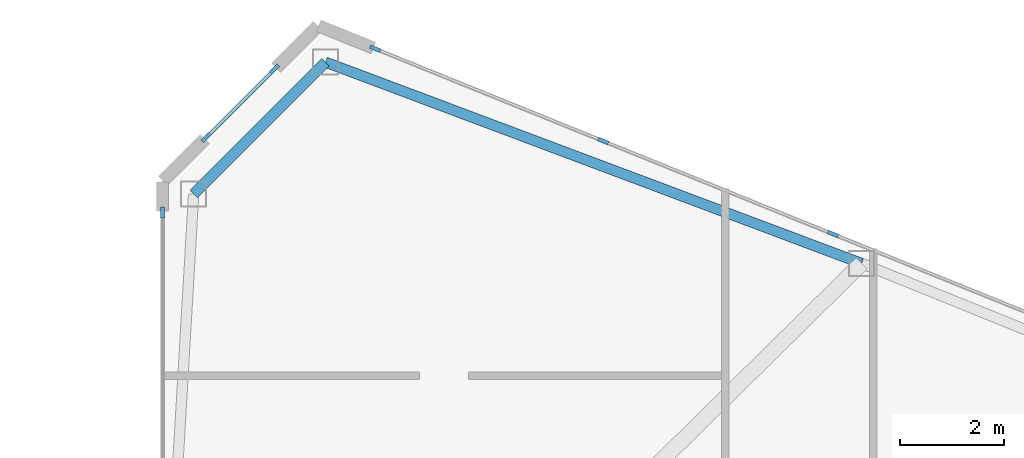
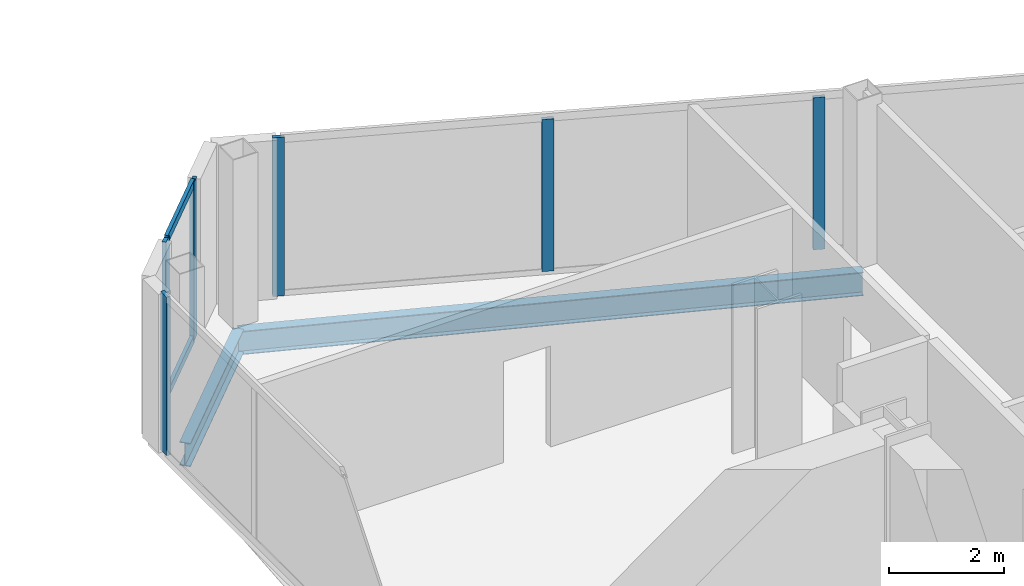
# One storey, part 13 of 25: 8 members, 2 beams, 3 elements without a shape of their own.
"""IFC4 building model written with IfcOpenShell, lengths in metres."""

import ifcopenshell
import ifcopenshell.guid

model = None  # the IFC model being written
_history = None  # IfcOwnerHistory: only IFC2X3 demands one
_inside = {}  # id of a spatial element -> (the spatial element, [elements in it])
_under = {}  # id of a project, library or spatial element -> (it, [spatial elements below it])
_declared = {}  # id of a project -> (the project, [libraries it declares])
_typed = {}  # id of a type object -> (the type object, [elements of that type])
_made_of = {}  # id of a material, layer set ... -> (it, [elements and type objects made of it])


def new_model(schema):
    """Start an empty IFC model of exactly this schema.

    Asked for "IFC4X3", IfcOpenShell would pick the latest addendum, in which some entities
    have other attributes; the version numbers below select the first issue.
    IFC2X3 requires an IfcOwnerHistory on every rooted entity: one is made here for all.
    """
    global model, _history
    if schema == "IFC4X3":
        model = ifcopenshell.file(schema_version=(4, 3, 0, 0))
    else:
        model = ifcopenshell.file(schema=schema)
    _inside.clear()
    _under.clear()
    _declared.clear()
    _typed.clear()
    _made_of.clear()
    _history = None
    if model.schema == "IFC2X3":
        org = make("IfcOrganization", Name="unknown")
        user = make(
            "IfcPersonAndOrganization",
            ThePerson=make("IfcPerson", FamilyName="unknown"),
            TheOrganization=org,
        )
        app = make(
            "IfcApplication",
            ApplicationDeveloper=org,
            Version="unknown",
            ApplicationFullName="unknown",
            ApplicationIdentifier="unknown",
        )
        _history = make(
            "IfcOwnerHistory",
            OwningUser=user,
            OwningApplication=app,
            ChangeAction="ADDED",
            CreationDate=0,
        )
    return model


def make(cls, **values):
    """One entity of the class cls with the attributes given. An attribute that is None is left unset."""
    return model.create_entity(
        cls, **{name: value for name, value in values.items() if value is not None}
    )


def rooted(cls, **values):
    """An entity with a GlobalId (a new one), such as an element, a storey or a relation."""
    return make(cls, GlobalId=ifcopenshell.guid.new(), OwnerHistory=_history, **values)


def si_unit(unit_type, name, prefix=None):
    """IfcSIUnit, for example si_unit("LENGTHUNIT", "METRE", prefix="MILLI")."""
    return make("IfcSIUnit", UnitType=unit_type, Prefix=prefix, Name=name)


def assignment(units):
    """IfcUnitAssignment: the units of a project."""
    return None if units is None else make("IfcUnitAssignment", Units=units)


def point(xyz):
    """IfcCartesianPoint."""
    return None if xyz is None else make("IfcCartesianPoint", Coordinates=xyz)


def direction(xyz):
    """IfcDirection."""
    return None if xyz is None else make("IfcDirection", DirectionRatios=xyz)


def frame(location, z_axis=None, x_axis=None):
    """IfcAxis2Placement3D, a coordinate frame: its origin and axes. An axis left out is left unset."""
    return make(
        "IfcAxis2Placement3D",
        Location=point(location),
        Axis=direction(z_axis),
        RefDirection=direction(x_axis),
    )


def frame_2d(location, x_axis=None):
    """IfcAxis2Placement2D, a coordinate frame in the plane: its origin and x axis."""
    return make(
        "IfcAxis2Placement2D", Location=point(location), RefDirection=direction(x_axis)
    )


def origin():
    """The frame at (0, 0, 0) with its axes left unset."""
    return frame((0.0, 0.0, 0.0))


def origin_2d():
    """The frame at (0, 0) in the plane with its x axis left unset."""
    return frame_2d((0.0, 0.0))


def place(relative_to, where):
    """IfcLocalPlacement: puts the frame where relative to a parent placement (None: the world)."""
    return make(
        "IfcLocalPlacement", PlacementRelTo=relative_to, RelativePlacement=where
    )


def context(
    kind, dimensions, precision=None, world=None, true_north=None, identifier=None
):
    """IfcGeometricRepresentationContext, for example the 3D "Model" context."""
    return make(
        "IfcGeometricRepresentationContext",
        ContextIdentifier=identifier,
        ContextType=kind,
        CoordinateSpaceDimension=dimensions,
        Precision=precision,
        WorldCoordinateSystem=world,
        TrueNorth=true_north,
    )


def subcontext(parent, identifier, kind, view, scale=None):
    """IfcGeometricRepresentationSubContext, for example "Body" below "Model"."""
    return make(
        "IfcGeometricRepresentationSubContext",
        ContextIdentifier=identifier,
        ContextType=kind,
        ParentContext=parent,
        TargetScale=scale,
        TargetView=view,
    )


def project(units=None, contexts=None):
    """IfcProject with its units and contexts."""
    return rooted(
        "IfcProject",
        Name="project",
        RepresentationContexts=contexts,
        UnitsInContext=assignment(units),
    )


def spatial(cls, under=None, at=None, **own):
    """A site, building, storey or space (cls), placed at a placement, below another one or the project."""
    s = rooted(cls, ObjectPlacement=at, **own)
    if under is not None:
        _under.setdefault(under.id(), (under, []))[1].append(s)
    return s


def profile(cls, at=None, kind="AREA", **sizes):
    """A parametric profile (cls). Its sizes go by their IFC names, for example OverallWidth=200.0."""
    return make(cls, ProfileType=kind, Position=at, **sizes)


def rectangle(**sizes):
    """IfcRectangleProfileDef."""
    return profile("IfcRectangleProfileDef", **sizes)


def i_section(**sizes):
    """IfcIShapeProfileDef."""
    return profile("IfcIShapeProfileDef", **sizes)


def extrude(swept, where, along, depth):
    """IfcExtrudedAreaSolid: the profile swept, set in the frame where, extruded along a direction by depth."""
    return make(
        "IfcExtrudedAreaSolid",
        SweptArea=swept,
        Position=where,
        ExtrudedDirection=direction(along),
        Depth=depth,
    )


def shape(context_of_items, identifier, shape_type, items):
    """IfcShapeRepresentation: the items that make up one representation, for example the "Body"."""
    return make(
        "IfcShapeRepresentation",
        ContextOfItems=context_of_items,
        RepresentationIdentifier=identifier,
        RepresentationType=shape_type,
        Items=items,
    )


def source(mapping_origin, context_of_items, identifier, shape_type, items):
    """IfcRepresentationMap: a shape defined once, which mapped items show again and again."""
    return make(
        "IfcRepresentationMap",
        MappingOrigin=mapping_origin,
        MappedRepresentation=shape(context_of_items, identifier, shape_type, items),
    )


def transform(
    local_origin,
    x_axis=None,
    y_axis=None,
    z_axis=None,
    scale=None,
    scale2=None,
    scale3=None,
    uniform=True,
):
    """IfcCartesianTransformationOperator3D, or its non-uniform kind. x_axis, y_axis, z_axis: its Axis1, 2, 3."""
    if uniform:
        return make(
            "IfcCartesianTransformationOperator3D",
            Axis1=direction(x_axis),
            Axis2=direction(y_axis),
            LocalOrigin=point(local_origin),
            Scale=scale,
            Axis3=direction(z_axis),
        )
    return make(
        "IfcCartesianTransformationOperator3DnonUniform",
        Axis1=direction(x_axis),
        Axis2=direction(y_axis),
        LocalOrigin=point(local_origin),
        Scale=scale,
        Axis3=direction(z_axis),
        Scale2=scale2,
        Scale3=scale3,
    )


def mapped(mapping_source, mapping_target):
    """IfcMappedItem: shows the shape of a source again, moved by a transform."""
    return make(
        "IfcMappedItem", MappingSource=mapping_source, MappingTarget=mapping_target
    )


def material(Name=None, Category=None):
    """IfcMaterial."""
    return make("IfcMaterial", Name=Name, Category=Category)


def layer(
    of_material, thickness, ventilated=None, Name=None, Category=None, Priority=None
):
    """IfcMaterialLayer: one layer of a wall or slab, of a material (None: an air gap)."""
    return make(
        "IfcMaterialLayer",
        Material=of_material,
        LayerThickness=thickness,
        IsVentilated=ventilated,
        Name=Name,
        Category=Category,
        Priority=Priority,
    )


def layer_set(layers, Name=None):
    """IfcMaterialLayerSet."""
    return make("IfcMaterialLayerSet", MaterialLayers=layers, LayerSetName=Name)


def material_profile(
    of_material, cross_section, Name=None, Category=None, Priority=None
):
    """IfcMaterialProfile: a cross section and its material."""
    return make(
        "IfcMaterialProfile",
        Name=Name,
        Material=of_material,
        Profile=cross_section,
        Priority=Priority,
        Category=Category,
    )


def profile_set(profiles, Name=None, composite=None):
    """IfcMaterialProfileSet."""
    return make(
        "IfcMaterialProfileSet",
        Name=Name,
        MaterialProfiles=profiles,
        CompositeProfile=composite,
    )


def made_of(thing, what):
    """Note that an element or type object is made of a material, layer set ...; save() writes the relation."""
    if what is not None:
        _made_of.setdefault(what.id(), (what, []))[1].append(thing)
    return thing


def type_object(cls, material=None, **own):
    """A type object (cls), such as IfcWallType, which elements share."""
    return made_of(rooted(cls, **own), material)


def type_shapes(of_type, sources):
    """Give a type object the sources (RepresentationMaps) that its elements show as mapped items."""
    of_type.RepresentationMaps = sources


def element(
    cls,
    number,
    at=None,
    inside=None,
    cuts=None,
    type_object=None,
    material=None,
    context=None,
    identifier="Body",
    shape_type=None,
    held_by="IfcProductDefinitionShape",
    body=None,
    shapes=None,
    **own,
):
    """One element of the class cls, such as IfcWall. Its Tag is "e" and its number.

    at: its placement. inside: the storey or other place that contains it. cuts: it is an
    opening in that element (IfcRelVoidsElement). A single representation is given by context,
    identifier, shape_type and body (its items); several are given by shapes. held_by: the class
    of the entity that holds the representations. save() writes the other relations.
    """
    e = rooted(cls, Tag="e%d" % number, ObjectPlacement=at, **own)
    if body is not None:
        shapes = [shape(context, identifier, shape_type, body)]
    if shapes is not None:
        e.Representation = make(held_by, Representations=shapes)
    if inside is not None:
        _inside.setdefault(inside.id(), (inside, []))[1].append(e)
    if cuts is not None:
        rooted(
            "IfcRelVoidsElement", RelatingBuildingElement=cuts, RelatedOpeningElement=e
        )
    if type_object is not None:
        _typed.setdefault(type_object.id(), (type_object, []))[1].append(e)
    return made_of(e, material)


def aggregate(whole, parts):
    """IfcRelAggregates: a whole, such as a stair, and the parts it consists of."""
    return rooted("IfcRelAggregates", RelatingObject=whole, RelatedObjects=parts)


def save(model, path):
    """Write the relations noted so far, then the file.

    IfcRelAggregates (storeys below a building ...), IfcRelContainedInSpatialStructure (elements
    in a storey), IfcRelDefinesByType, IfcRelAssociatesMaterial and IfcRelDeclares: one each for
    every whole, place, type object, material and project.
    """
    for whole, parts in _under.values():
        aggregate(whole, parts)
    for where, things in _inside.values():
        rooted(
            "IfcRelContainedInSpatialStructure",
            RelatedElements=things,
            RelatingStructure=where,
        )
    for kind, things in _typed.values():
        rooted("IfcRelDefinesByType", RelatedObjects=things, RelatingType=kind)
    for what, things in _made_of.values():
        rooted("IfcRelAssociatesMaterial", RelatedObjects=things, RelatingMaterial=what)
    for by, libraries in _declared.values():
        rooted("IfcRelDeclares", RelatingContext=by, RelatedDefinitions=libraries)
    model.write(path)


model = new_model("IFC4")

# Units and contexts
model_context = context("Model", 3, precision=1e-05, world=origin(), true_north=direction((0.0, 1.0)))
body_context = subcontext(model_context, "Body", "Model", "MODEL_VIEW")
ifc_project = project(units=[si_unit("LENGTHUNIT", "METRE"), si_unit("AREAUNIT", "SQUARE_METRE"), si_unit("VOLUMEUNIT", "CUBIC_METRE"), si_unit("PLANEANGLEUNIT", "RADIAN"), si_unit("MASSUNIT", "GRAM", prefix="KILO")], contexts=[model_context])

# Site, building, storey
site_placement = place(None, origin())
site = spatial("IfcSite", under=ifc_project, at=site_placement, CompositionType="ELEMENT")
building_placement = place(site_placement, origin())
building = spatial("IfcBuilding", under=site, at=building_placement, Name="Seokmaru Belvedere", CompositionType="ELEMENT")
storey_placement = place(building_placement, frame((0.0, 0.0, 29.699951171875)))
storey = spatial("IfcBuildingStorey", under=building, at=storey_placement, Name="L07", CompositionType="ELEMENT", Elevation=29.699951171875)

# Beams
ifc_material_1 = material(Name="Steel SM355 (355 MPa)", Category="steel")
ifc_material_profile_1 = material_profile(ifc_material_1, i_section(OverallWidth=0.199951171875, OverallDepth=0.5, WebThickness=0.010009765625, FlangeThickness=0.01611328125, at=origin_2d()), Name="H-500x200x10x16")
ifc_profile_set_1 = profile_set([ifc_material_profile_1], Name="Steel SM355 (355 MPa)")
beam_type = type_object("IfcBeamType", Name="Perimeter Spandrel Beam H-500", PredefinedType="SPANDREL", material=ifc_profile_set_1)
shared_shape_1 = source(origin(), body_context, "Body", "SweptSolid", [
    extrude(i_section(OverallWidth=0.199951171875, OverallDepth=0.5, WebThickness=0.010009765625, FlangeThickness=0.01611328125, at=origin_2d()), origin(), (0.0, 0.0, 1.0), 11.03857421875),
])
beam_1_placement = place(storey_placement, frame((30.643310546875, 26.294677734375, -0.469970703125), z_axis=(0.936169110734, -0.351549990907, 0.0), x_axis=(0.351549990907, 0.936169110734, 0.0)))
element("IfcBeam", 1, at=beam_1_placement, inside=storey, type_object=beam_type, Name="L07 E Faceted Flank Spandrel N-1", PredefinedType="SPANDREL", context=body_context, shape_type="MappedRepresentation", body=[
    mapped(shared_shape_1, transform((0.0, 0.0, 0.0), scale=1.0)),
])
shared_shape_2 = source(origin(), body_context, "Body", "SweptSolid", [
    extrude(i_section(OverallWidth=0.199951171875, OverallDepth=0.5, WebThickness=0.010009765625, FlangeThickness=0.01611328125, at=origin_2d()), origin(), (0.0, 0.0, 1.0), 3.5966796875),
])
type_shapes(beam_type, [shared_shape_1, shared_shape_2])
beam_2_placement = place(storey_placement, frame((30.643310546875, 26.294677734375, -0.469970703125), z_axis=(-0.707106781187, -0.707106781187, 0.0), x_axis=(0.707106781187, -0.707106781187, 0.0)))
element("IfcBeam", 2, at=beam_2_placement, inside=storey, type_object=beam_type, Name="L07 E Shoulder Chamfer Spandrel N", PredefinedType="SPANDREL", context=body_context, shape_type="MappedRepresentation", body=[
    mapped(shared_shape_2, transform((0.0, 0.0, 0.0), scale=1.0)),
])

# Curtain wall, member
ifc_material_2 = material(Name="Bronze Triple Insulating Glass", Category="glass")
ifc_layer = layer(ifc_material_2, 0.2099609375)
ifc_layer_set = layer_set([ifc_layer], Name="Bronze Triple Insulating Glass")
curtain_wall_type = type_object("IfcCurtainWallType", Name="Low-Rise Faceted Crystal Curtain Wall System CW-2", PredefinedType="NOTDEFINED", material=ifc_layer_set)
curtain_wall_1_placement = place(storey_placement, origin())
curtain_wall_1 = element("IfcCurtainWall", 3, at=curtain_wall_1_placement, inside=storey, type_object=curtain_wall_type, Name="L07 Curtain Wall EF3", PredefinedType="NOTDEFINED")
ifc_material_3 = material(Name="Anodised Bronze Aluminium", Category="aluminium")
ifc_material_profile_2 = material_profile(ifc_material_3, rectangle(XDim=0.074951171875, YDim=0.2099609375, at=origin_2d()), Name="CW-M-75x210")
ifc_profile_set_2 = profile_set([ifc_material_profile_2], Name="Anodised Bronze Aluminium")
member_type_1 = type_object("IfcMemberType", Name="Bronze Unitised Mullion 75x210", PredefinedType="MULLION", material=ifc_profile_set_2)
shared_shape_3 = source(origin(), body_context, "Body", "SweptSolid", [
    extrude(rectangle(XDim=0.074951171875, YDim=0.2099609375, at=origin_2d()), origin(), (0.0, 0.0, 1.0), 3.380126953125),
])
member_1_placement = place(storey_placement, frame((31.600830078125, 26.554443359375, 0.0), z_axis=(0.0, 0.0, 1.0), x_axis=(-0.375192321888, -0.926946989637, 0.0)))
member_1 = element("IfcMember", 4, at=member_1_placement, type_object=member_type_1, Name="CW:L07:EF3 Mullion 10", PredefinedType="MULLION", context=body_context, shape_type="MappedRepresentation", body=[
    mapped(shared_shape_3, transform((0.0, 0.0, 0.0), scale=1.0)),
])

# Curtain wall, members
curtain_wall_2_placement = place(storey_placement, origin())
curtain_wall_2 = element("IfcCurtainWall", 5, at=curtain_wall_2_placement, inside=storey, type_object=curtain_wall_type, Name="L07 Curtain Wall EF4", PredefinedType="NOTDEFINED")
member_2_placement = place(storey_placement, frame((29.660400390625, 26.160400390625, 0.0), z_axis=(0.0, 0.0, 1.0), x_axis=(0.707106781187, -0.707106781187, 0.0)))
member_2 = element("IfcMember", 6, at=member_2_placement, type_object=member_type_1, Name="CW:L07:EF4 Mullion 1", PredefinedType="MULLION", context=body_context, shape_type="MappedRepresentation", body=[
    mapped(shared_shape_3, transform((0.0, 0.0, 0.0), scale=1.0)),
])
member_3_placement = place(storey_placement, frame((28.339599609375, 24.839599609375, 0.0), z_axis=(0.0, 0.0, 1.0), x_axis=(0.707106781187, -0.707106781187, 0.0)))
member_3 = element("IfcMember", 7, at=member_3_placement, type_object=member_type_1, Name="CW:L07:EF4 Mullion 2", PredefinedType="MULLION", context=body_context, shape_type="MappedRepresentation", body=[
    mapped(shared_shape_3, transform((0.0, 0.0, 0.0), scale=1.0)),
])

# Curtain wall, member
curtain_wall_3_placement = place(storey_placement, origin())
curtain_wall_3 = element("IfcCurtainWall", 8, at=curtain_wall_3_placement, inside=storey, type_object=curtain_wall_type, Name="L07 Curtain Wall ESP_2", PredefinedType="NOTDEFINED")
member_4_placement = place(storey_placement, frame((27.5, 23.392578125, 0.0), z_axis=(0.0, 0.0, 1.0), x_axis=(1.0, 0.0, 0.0)))
member_4 = element("IfcMember", 9, at=member_4_placement, type_object=member_type_1, Name="CW:L07:ESP_2 Mullion 1", PredefinedType="MULLION", context=body_context, shape_type="MappedRepresentation", body=[
    mapped(shared_shape_3, transform((0.0, 0.0, 0.0), scale=1.0)),
])
aggregate(curtain_wall_3, [member_4])

# Member
ifc_material_profile_3 = material_profile(ifc_material_3, rectangle(XDim=0.070068359375, YDim=0.1650390625, at=origin_2d()), Name="CW-T-70x165")
ifc_profile_set_3 = profile_set([ifc_material_profile_3], Name="Anodised Bronze Aluminium")
member_type_2 = type_object("IfcMemberType", Name="Bronze Unitised Transom 70x165", PredefinedType="USERDEFINED", material=ifc_profile_set_3)
shared_shape_4 = source(origin(), body_context, "Body", "SweptSolid", [
    extrude(rectangle(XDim=0.070068359375, YDim=0.1650390625, at=origin_2d()), origin(), (0.0, 0.0, 1.0), 1.792724609375),
])
type_shapes(member_type_2, [shared_shape_4])
member_5_placement = place(storey_placement, frame((29.6337890625, 26.1337890625, 0.03515625), z_axis=(-0.707106781187, -0.707106781187, 0.0), x_axis=(0.707106781187, -0.707106781187, 0.0)))
member_5 = element("IfcMember", 10, at=member_5_placement, type_object=member_type_2, Name="CW:L07:EF4 Continuous Transom 1", ObjectType="TRANSOM", PredefinedType="USERDEFINED", context=body_context, shape_type="MappedRepresentation", body=[
    mapped(shared_shape_4, transform((0.0, 0.0, 0.0), scale=1.0)),
])

member_6_placement = place(storey_placement, frame((29.6337890625, 26.1337890625, 3.344970703125), z_axis=(-0.707106781187, -0.707106781187, 0.0), x_axis=(0.707106781187, -0.707106781187, 0.0)))
member_6 = element("IfcMember", 11, at=member_6_placement, type_object=member_type_2, Name="CW:L07:EF4 Continuous Transom 2", ObjectType="TRANSOM", PredefinedType="USERDEFINED", context=body_context, shape_type="MappedRepresentation", body=[
    mapped(shared_shape_4, transform((0.0, 0.0, 0.0), scale=1.0)),
])

aggregate(curtain_wall_2, [member_2, member_3, member_5, member_6])

shared_shape_5 = source(origin(), body_context, "Body", "SweptSolid", [
    extrude(rectangle(XDim=0.074951171875, YDim=0.2099609375, at=origin_2d()), origin(), (0.0, 0.0, 1.0), 3.239990234375),
])
type_shapes(member_type_1, [shared_shape_3, shared_shape_5])
member_7_placement = place(storey_placement, frame((40.425537109375, 22.982421875, 0.070068359375), z_axis=(0.0, 0.0, 1.0), x_axis=(-0.375192321888, -0.926946989637, 0.0)))
member_7 = element("IfcMember", 12, at=member_7_placement, type_object=member_type_1, Name="CW:L07:EF3 Mullion 8", PredefinedType="MULLION", context=body_context, shape_type="MappedRepresentation", body=[
    mapped(shared_shape_5, transform((0.0, 0.0, 0.0), scale=1.0)),
])

member_8_placement = place(storey_placement, frame((35.995849609375, 24.775390625, 0.070068359375), z_axis=(0.0, 0.0, 1.0), x_axis=(-0.375192321888, -0.926946989637, 0.0)))
member_8 = element("IfcMember", 13, at=member_8_placement, type_object=member_type_1, Name="CW:L07:EF3 Mullion 9", PredefinedType="MULLION", context=body_context, shape_type="MappedRepresentation", body=[
    mapped(shared_shape_5, transform((0.0, 0.0, 0.0), scale=1.0)),
])

aggregate(curtain_wall_1, [member_7, member_8, member_1])

save(model, "model.ifc")
